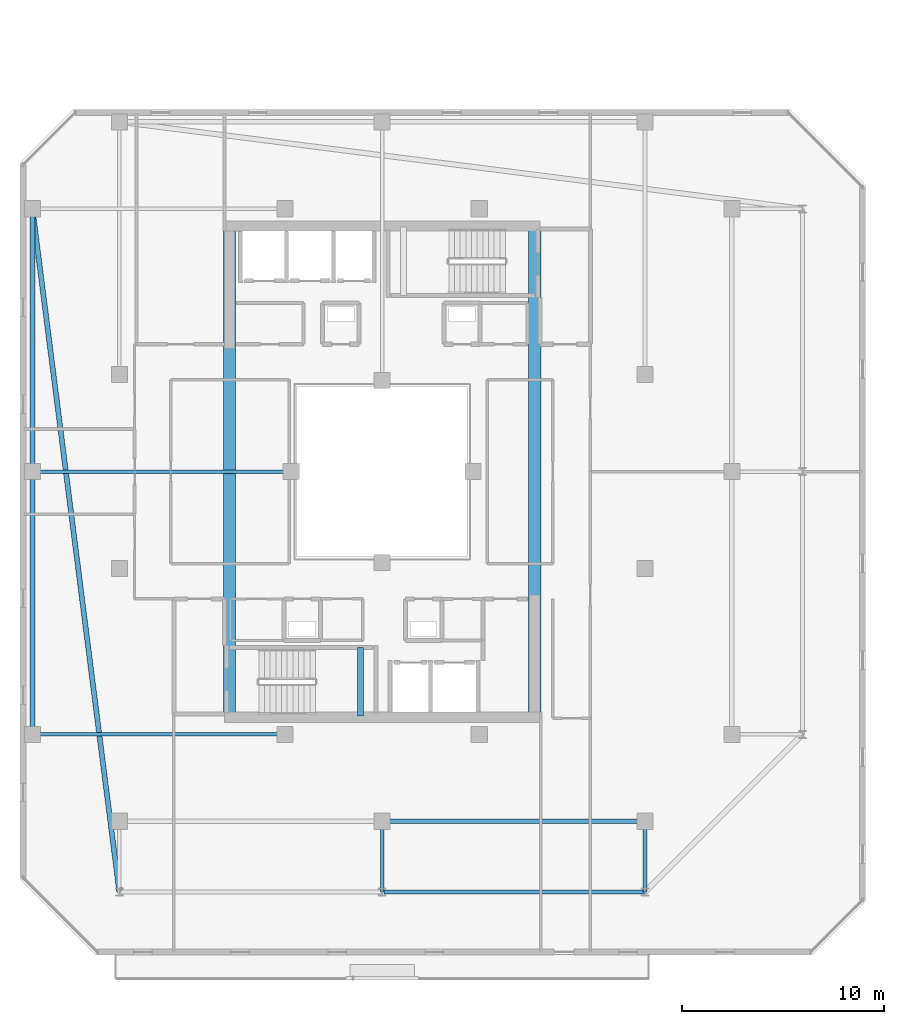
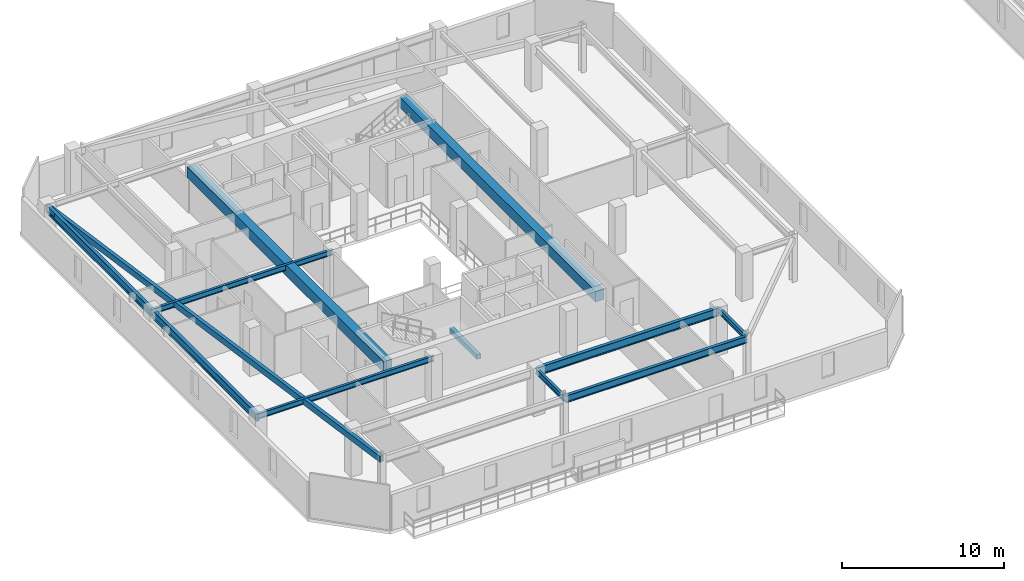
# One storey, part 6 of 34: 12 beams.
"""IFC4 building model written with IfcOpenShell, lengths in metres."""

from ifc_helpers import new_model, si_unit, direction, frame, origin, origin_2d, place, context, subcontext, project, spatial, rectangle, hollow_rectangle, i_section, extrude, material, material_profile, profile_set, type_object, element, save


model = new_model("IFC4")

# Units and contexts
model_context = context("Model", 3, precision=1e-05, world=origin(), true_north=direction((0.0, 1.0)))
body_context = subcontext(model_context, "Body", "Model", "MODEL_VIEW")
ifc_project = project(units=[si_unit("LENGTHUNIT", "METRE"), si_unit("AREAUNIT", "SQUARE_METRE"), si_unit("VOLUMEUNIT", "CUBIC_METRE"), si_unit("PLANEANGLEUNIT", "RADIAN"), si_unit("MASSUNIT", "GRAM", prefix="KILO")], contexts=[model_context])

# Site, building, storey
site_placement = place(None, origin())
site = spatial("IfcSite", under=ifc_project, at=site_placement, CompositionType="ELEMENT")
building_placement = place(site_placement, origin())
building = spatial("IfcBuilding", under=site, at=building_placement, Name="Thornwick Lancets Civic Towers", CompositionType="ELEMENT")
storey_placement = place(building_placement, frame((0.0, 0.0, 261.89990234375)))
storey = spatial("IfcBuildingStorey", under=building, at=storey_placement, Name="L70", CompositionType="ELEMENT", Elevation=261.89990234375)

# Beams
ifc_material_1 = material(Name="Concrete C60/75", Category="concrete")
ifc_material_profile_1 = material_profile(ifc_material_1, rectangle(XDim=0.60009765625, YDim=0.800048828125, at=origin_2d()), Name="RC 600x800")
ifc_profile_set_1 = profile_set([ifc_material_profile_1], Name="Concrete C60/75")
beam_type_1 = type_object("IfcBeamType", Name="BM_COUP_RC800", PredefinedType="BEAM", material=ifc_profile_set_1)
for number, where, z_axis, x_axis, name in (
    (1, (33.050048828125, 14.89990234375, 2.960205078125), (0.0, 1.0, 0.0), (-1.0, 0.0, 0.0), "CB-L70-A1"),
    (2, (17.949951171875, 14.89990234375, 2.960205078125), (0.0, 1.0, 0.0), (-1.0, 0.0, 0.0), "CB-L70-A2"),
):
    element("IfcBeam", number, at=place(storey_placement, frame(where, z_axis=z_axis, x_axis=x_axis)), inside=storey, type_object=beam_type_1, Name=name, PredefinedType="BEAM", context=body_context, shape_type="SweptSolid", body=[
        extrude(rectangle(XDim=0.60009765625, YDim=0.800048828125, at=origin_2d()), origin(), (0.0, 0.0, 1.0), 24.2001953125),
    ])
ifc_material_2 = material(Name="Steel S355JR", Category="steel")
ifc_material_profile_2 = material_profile(ifc_material_2, i_section(OverallWidth=0.210693359375, OverallDepth=0.53955078125, WebThickness=0.01171875, FlangeThickness=0.018798828125, FilletRadius=0.0126953125, at=origin_2d()), Name="UKB 533x210x109")
ifc_profile_set_2 = profile_set([ifc_material_profile_2], Name="Steel S355JR")
beam_type_2 = type_object("IfcBeamType", Name="BM_EDGE_533_109", PredefinedType="SPANDREL", material=ifc_profile_set_2)
beam_1_placement = place(storey_placement, frame((25.580078125, 6.199951171875, 3.09033203125), z_axis=(1.0, 0.0, 0.0), x_axis=(0.0, 1.0, 0.0)))
element("IfcBeam", 3, at=beam_1_placement, inside=storey, type_object=beam_type_2, Name="BM-EDGE-L70-A-S0-2", PredefinedType="SPANDREL", context=body_context, shape_type="SweptSolid", body=[
    extrude(i_section(OverallWidth=0.210693359375, OverallDepth=0.53955078125, WebThickness=0.01171875, FlangeThickness=0.018798828125, FilletRadius=0.0126953125, at=origin_2d()), origin(), (0.0, 0.0, 1.0), 12.919921875),
])
ifc_material_profile_3 = material_profile(ifc_material_2, i_section(OverallWidth=0.230224609375, OverallDepth=0.6171875, WebThickness=0.01318359375, FlangeThickness=0.022216796875, FilletRadius=0.0126953125, at=origin_2d()), Name="UKB 610x229x140")
ifc_profile_set_3 = profile_set([ifc_material_profile_3], Name="Steel S355JR")
beam_type_3 = type_object("IfcBeamType", Name="BM_GIRD_610_140", PredefinedType="BEAM", material=ifc_profile_set_3)
beam_2_placement = place(storey_placement, frame((25.580078125, 9.699951171875, 3.051513671875), z_axis=(1.0, 0.0, 0.0), x_axis=(0.0, 1.0, 0.0)))
element("IfcBeam", 4, at=beam_2_placement, inside=storey, type_object=beam_type_3, Name="BM-SPINE-L70-A-1-2", PredefinedType="BEAM", context=body_context, shape_type="SweptSolid", body=[
    extrude(i_section(OverallWidth=0.230224609375, OverallDepth=0.6171875, WebThickness=0.01318359375, FlangeThickness=0.022216796875, FilletRadius=0.0126953125, at=origin_2d()), origin(), (0.0, 0.0, 1.0), 12.919921875),
])
beam_3_placement = place(storey_placement, frame((8.199951171875, 14.0, 3.051513671875), z_axis=(0.0, 1.0, 0.0), x_axis=(-1.0, 0.0, 0.0)))
element("IfcBeam", 5, at=beam_3_placement, inside=storey, type_object=beam_type_3, Name="BM-SPINE-L70-A-9-10", PredefinedType="BEAM", context=body_context, shape_type="SweptSolid", body=[
    extrude(i_section(OverallWidth=0.230224609375, OverallDepth=0.6171875, WebThickness=0.01318359375, FlangeThickness=0.022216796875, FilletRadius=0.0126953125, at=origin_2d()), origin(), (0.0, 0.0, 1.0), 13.0),
])
beam_4_placement = place(storey_placement, frame((8.199951171875, 27.080078125, 3.051513671875), z_axis=(0.0, 1.0, 0.0), x_axis=(-1.0, 0.0, 0.0)))
element("IfcBeam", 6, at=beam_4_placement, inside=storey, type_object=beam_type_3, Name="BM-SPINE-L70-A-10-11", PredefinedType="BEAM", context=body_context, shape_type="SweptSolid", body=[
    extrude(i_section(OverallWidth=0.230224609375, OverallDepth=0.6171875, WebThickness=0.01318359375, FlangeThickness=0.022216796875, FilletRadius=0.0126953125, at=origin_2d()), origin(), (0.0, 0.0, 1.0), 12.919921875),
])
ifc_material_profile_4 = material_profile(ifc_material_2, i_section(OverallWidth=0.179443359375, OverallDepth=0.412841796875, WebThickness=0.009521484375, FlangeThickness=0.01611328125, FilletRadius=0.01025390625, at=origin_2d()), Name="UKB 406x178x74")
ifc_profile_set_4 = profile_set([ifc_material_profile_4], Name="Steel S355JR")
beam_type_4 = type_object("IfcBeamType", Name="BM_JOIST_406_74", PredefinedType="JOIST", material=ifc_profile_set_4)
for number, where, z_axis, x_axis, name in (
    (7, (25.5, 9.699951171875, 3.15380859375), (0.0, -1.0, 0.0), (1.0, 0.0, 0.0), "BM-RAD-L70-A02"),
    (8, (38.5, 9.699951171875, 3.15380859375), (0.0, -1.0, 0.0), (1.0, 0.0, 0.0), "BM-RAD-L70-A03"),
):
    element("IfcBeam", number, at=place(storey_placement, frame(where, z_axis=z_axis, x_axis=x_axis)), inside=storey, type_object=beam_type_4, Name=name, PredefinedType="JOIST", context=body_context, shape_type="SweptSolid", body=[
        extrude(i_section(OverallWidth=0.179443359375, OverallDepth=0.412841796875, WebThickness=0.009521484375, FlangeThickness=0.01611328125, FilletRadius=0.01025390625, at=origin_2d()), origin(), (0.0, 0.0, 1.0), 3.5),
    ])
beam_5_placement = place(storey_placement, frame((20.699951171875, 14.0, 3.15380859375), z_axis=(-1.0, 0.0, 0.0), x_axis=(0.0, -1.0, 0.0)))
element("IfcBeam", 9, at=beam_5_placement, inside=storey, type_object=beam_type_4, Name="BM-RADIN-L70-A10", PredefinedType="JOIST", context=body_context, shape_type="SweptSolid", body=[
    extrude(i_section(OverallWidth=0.179443359375, OverallDepth=0.412841796875, WebThickness=0.009521484375, FlangeThickness=0.01611328125, FilletRadius=0.01025390625, at=origin_2d()), origin(), (0.0, 0.0, 1.0), 12.5),
])
beam_6_placement = place(storey_placement, frame((21.0, 27.0, 3.15380859375), z_axis=(-1.0, 0.0, 0.0), x_axis=(0.0, -1.0, 0.0)))
element("IfcBeam", 10, at=beam_6_placement, inside=storey, type_object=beam_type_4, Name="BM-RADIN-L70-A11", PredefinedType="JOIST", context=body_context, shape_type="SweptSolid", body=[
    extrude(i_section(OverallWidth=0.179443359375, OverallDepth=0.412841796875, WebThickness=0.009521484375, FlangeThickness=0.01611328125, FilletRadius=0.01025390625, at=origin_2d()), origin(), (0.0, 0.0, 1.0), 12.800048828125),
])
ifc_material_profile_5 = material_profile(ifc_material_2, hollow_rectangle(XDim=0.25, YDim=0.449951171875, WallThickness=0.01611328125, at=origin_2d()), Name="RHS 450x250x16")
ifc_profile_set_5 = profile_set([ifc_material_profile_5], Name="Steel S355JR")
beam_type_5 = type_object("IfcBeamType", Name="BM_RING_RHS450", PredefinedType="BEAM", material=ifc_profile_set_5)
beam_7_placement = place(storey_placement, frame((8.199951171875, 40.0, 3.135009765625), z_axis=(0.126202998662, -0.992004437051, 0.0), x_axis=(0.992004437051, 0.126202998662, 0.0)))
element("IfcBeam", 11, at=beam_7_placement, inside=storey, type_object=beam_type_5, Name="BM-CHAMF-L70-A-C3", PredefinedType="BEAM", context=body_context, shape_type="SweptSolid", body=[
    extrude(hollow_rectangle(XDim=0.25, YDim=0.449951171875, WallThickness=0.01611328125, at=origin_2d()), origin(), (0.0, 0.0, 1.0), 34.072509765625),
])
ifc_material_3 = material(Name="Concrete C40/50", Category="concrete")
ifc_material_profile_6 = material_profile(ifc_material_3, rectangle(XDim=0.300048828125, YDim=0.35009765625, at=origin_2d()), Name="RC 300x350")
ifc_profile_set_6 = profile_set([ifc_material_profile_6], Name="Concrete C40/50")
beam_type_6 = type_object("IfcBeamType", Name="BM_STAIR_LDG", PredefinedType="BEAM", material=ifc_profile_set_6)
beam_8_placement = place(storey_placement, frame((24.43505859375, 14.89990234375, 1.378173828125), z_axis=(0.0, 1.0, 0.0), x_axis=(-1.0, 0.0, 0.0)))
element("IfcBeam", 12, at=beam_8_placement, inside=storey, type_object=beam_type_6, Name="L70 ST-A1 Landing Support Beam 1", PredefinedType="BEAM", context=body_context, shape_type="SweptSolid", body=[
    extrude(rectangle(XDim=0.300048828125, YDim=0.35009765625, at=origin_2d()), origin(), (0.0, 0.0, 1.0), 3.400146484375),
])

save(model, "model.ifc")
